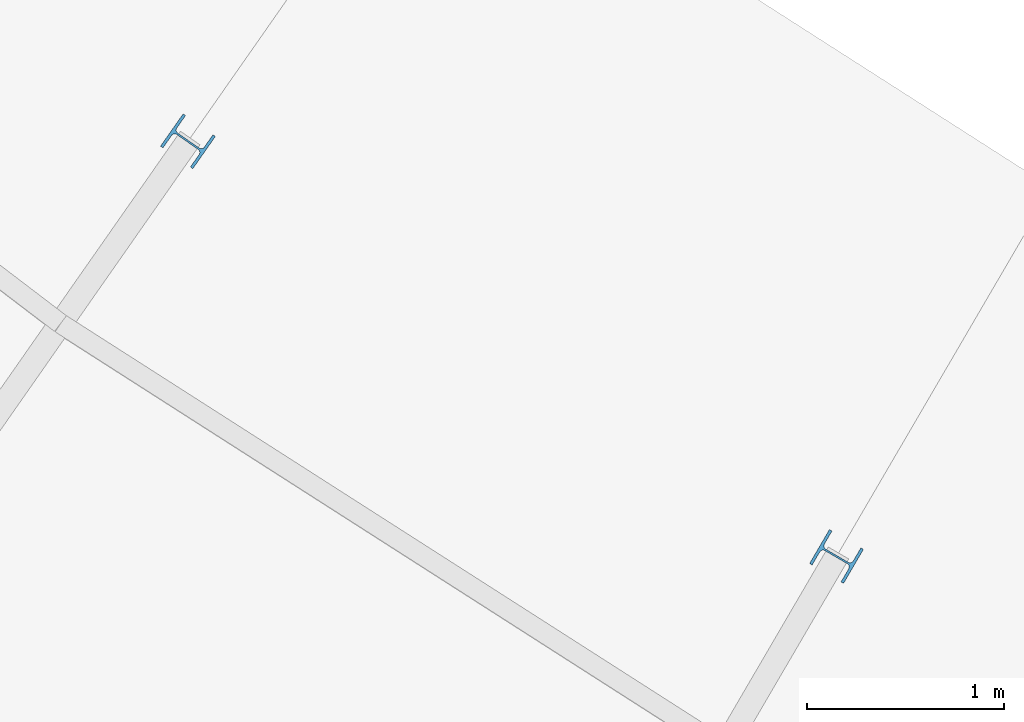
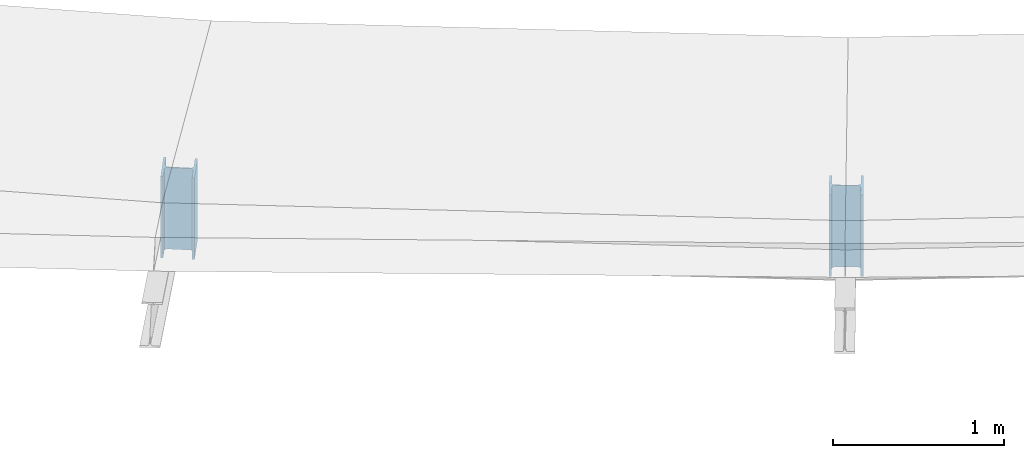
# One storey, part 8 of 40: 2 columns.
"""IFC4 building model written with IfcOpenShell, lengths in metres."""

from ifc_helpers import new_model, si_unit, direction, frame, origin, origin_2d, place, context, subcontext, project, spatial, i_section, extrude, material, material_profile, profile_set, type_object, element, save


model = new_model("IFC4")

# Units and contexts
model_context = context("Model", 3, precision=1e-05, world=origin(), true_north=direction((0.0, 1.0)))
body_context = subcontext(model_context, "Body", "Model", "MODEL_VIEW")
ifc_project = project(units=[si_unit("LENGTHUNIT", "METRE"), si_unit("AREAUNIT", "SQUARE_METRE"), si_unit("VOLUMEUNIT", "CUBIC_METRE"), si_unit("PLANEANGLEUNIT", "RADIAN"), si_unit("MASSUNIT", "GRAM", prefix="KILO")], contexts=[model_context])

# Site, building, storey
site_placement = place(None, origin())
site = spatial("IfcSite", under=ifc_project, at=site_placement, CompositionType="ELEMENT")
building_placement = place(site_placement, origin())
building = spatial("IfcBuilding", under=site, at=building_placement, Name="Zimvara Arc Housing Community", CompositionType="ELEMENT")
storey_placement = place(building_placement, frame((0.0, 0.0, 32.89990234375)))
storey = spatial("IfcBuildingStorey", under=building, at=storey_placement, Name="L10", CompositionType="ELEMENT", Elevation=32.89990234375)

# Columns
ifc_material = material(Name="Steel S355", Category="steel")
ifc_material_profile = material_profile(ifc_material, i_section(OverallWidth=0.199951171875, OverallDepth=0.199951171875, WebThickness=0.009033203125, FlangeThickness=0.014892578125, FilletRadius=0.01806640625, at=origin_2d()), Name="HEB 200")
ifc_profile_set = profile_set([ifc_material_profile], Name="Steel S355")
column_type = type_object("IfcColumnType", Name="COL-ST-HEB200", PredefinedType="COLUMN", material=ifc_profile_set)
for number, where, z_axis, x_axis, name in (
    (1, (98.521728515625, 70.587158203125, 0.0), (0.0, 0.0, 1.0), (-0.573004420611, -0.819552276527, 0.0), "col:blkC:L10:ribpost1:g3"),
    (2, (101.8173828125, 68.4775390625, 0.0), (0.0, 0.0, 1.0), (-0.504226211181, -0.863571611366, 0.0), "col:blkC:L10:ribpost1:g4"),
):
    element("IfcColumn", number, at=place(storey_placement, frame(where, z_axis=z_axis, x_axis=x_axis)), inside=storey, type_object=column_type, Name=name, PredefinedType="COLUMN", context=body_context, shape_type="SweptSolid", body=[
        extrude(i_section(OverallWidth=0.199951171875, OverallDepth=0.199951171875, WebThickness=0.009033203125, FlangeThickness=0.014892578125, FilletRadius=0.01806640625, at=origin_2d()), origin(), (0.0, 0.0, 1.0), 0.582763671875),
    ])

save(model, "model.ifc")
